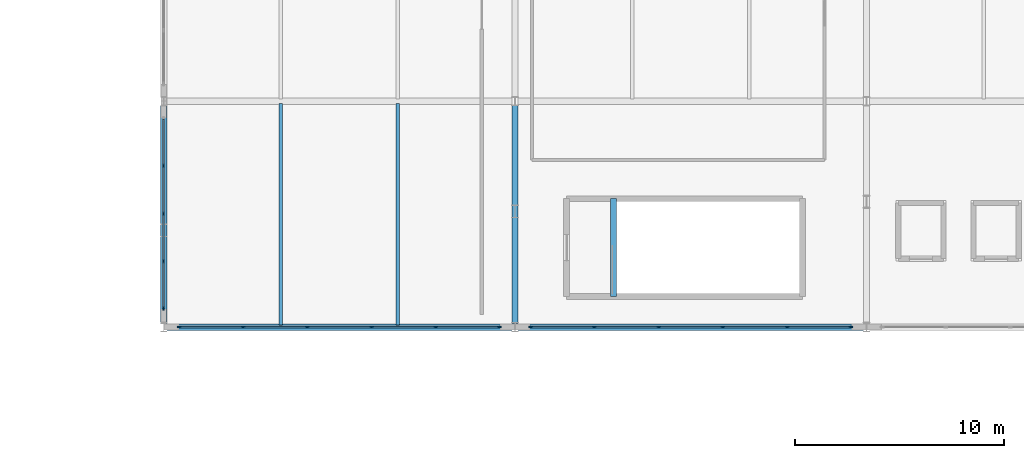
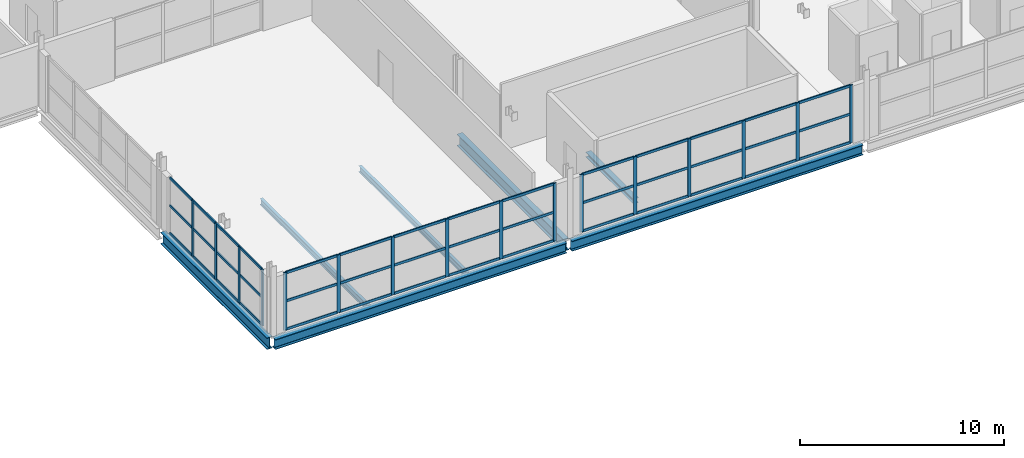
# One storey, part 7 of 39: 58 members, 7 beams, 3 elements without a shape of their own.
"""IFC4 building model written with IfcOpenShell, lengths in metres."""

import ifcopenshell
import ifcopenshell.guid

model = None  # the IFC model being written
_history = None  # IfcOwnerHistory: only IFC2X3 demands one
_inside = {}  # id of a spatial element -> (the spatial element, [elements in it])
_under = {}  # id of a project, library or spatial element -> (it, [spatial elements below it])
_declared = {}  # id of a project -> (the project, [libraries it declares])
_typed = {}  # id of a type object -> (the type object, [elements of that type])
_made_of = {}  # id of a material, layer set ... -> (it, [elements and type objects made of it])


def new_model(schema):
    """Start an empty IFC model of exactly this schema.

    Asked for "IFC4X3", IfcOpenShell would pick the latest addendum, in which some entities
    have other attributes; the version numbers below select the first issue.
    IFC2X3 requires an IfcOwnerHistory on every rooted entity: one is made here for all.
    """
    global model, _history
    if schema == "IFC4X3":
        model = ifcopenshell.file(schema_version=(4, 3, 0, 0))
    else:
        model = ifcopenshell.file(schema=schema)
    _inside.clear()
    _under.clear()
    _declared.clear()
    _typed.clear()
    _made_of.clear()
    _history = None
    if model.schema == "IFC2X3":
        org = make("IfcOrganization", Name="unknown")
        user = make(
            "IfcPersonAndOrganization",
            ThePerson=make("IfcPerson", FamilyName="unknown"),
            TheOrganization=org,
        )
        app = make(
            "IfcApplication",
            ApplicationDeveloper=org,
            Version="unknown",
            ApplicationFullName="unknown",
            ApplicationIdentifier="unknown",
        )
        _history = make(
            "IfcOwnerHistory",
            OwningUser=user,
            OwningApplication=app,
            ChangeAction="ADDED",
            CreationDate=0,
        )
    return model


def make(cls, **values):
    """One entity of the class cls with the attributes given. An attribute that is None is left unset."""
    return model.create_entity(
        cls, **{name: value for name, value in values.items() if value is not None}
    )


def rooted(cls, **values):
    """An entity with a GlobalId (a new one), such as an element, a storey or a relation."""
    return make(cls, GlobalId=ifcopenshell.guid.new(), OwnerHistory=_history, **values)


def si_unit(unit_type, name, prefix=None):
    """IfcSIUnit, for example si_unit("LENGTHUNIT", "METRE", prefix="MILLI")."""
    return make("IfcSIUnit", UnitType=unit_type, Prefix=prefix, Name=name)


def assignment(units):
    """IfcUnitAssignment: the units of a project."""
    return None if units is None else make("IfcUnitAssignment", Units=units)


def point(xyz):
    """IfcCartesianPoint."""
    return None if xyz is None else make("IfcCartesianPoint", Coordinates=xyz)


def direction(xyz):
    """IfcDirection."""
    return None if xyz is None else make("IfcDirection", DirectionRatios=xyz)


def frame(location, z_axis=None, x_axis=None):
    """IfcAxis2Placement3D, a coordinate frame: its origin and axes. An axis left out is left unset."""
    return make(
        "IfcAxis2Placement3D",
        Location=point(location),
        Axis=direction(z_axis),
        RefDirection=direction(x_axis),
    )


def frame_2d(location, x_axis=None):
    """IfcAxis2Placement2D, a coordinate frame in the plane: its origin and x axis."""
    return make(
        "IfcAxis2Placement2D", Location=point(location), RefDirection=direction(x_axis)
    )


def origin():
    """The frame at (0, 0, 0) with its axes left unset."""
    return frame((0.0, 0.0, 0.0))


def origin_2d():
    """The frame at (0, 0) in the plane with its x axis left unset."""
    return frame_2d((0.0, 0.0))


def place(relative_to, where):
    """IfcLocalPlacement: puts the frame where relative to a parent placement (None: the world)."""
    return make(
        "IfcLocalPlacement", PlacementRelTo=relative_to, RelativePlacement=where
    )


def context(
    kind, dimensions, precision=None, world=None, true_north=None, identifier=None
):
    """IfcGeometricRepresentationContext, for example the 3D "Model" context."""
    return make(
        "IfcGeometricRepresentationContext",
        ContextIdentifier=identifier,
        ContextType=kind,
        CoordinateSpaceDimension=dimensions,
        Precision=precision,
        WorldCoordinateSystem=world,
        TrueNorth=true_north,
    )


def subcontext(parent, identifier, kind, view, scale=None):
    """IfcGeometricRepresentationSubContext, for example "Body" below "Model"."""
    return make(
        "IfcGeometricRepresentationSubContext",
        ContextIdentifier=identifier,
        ContextType=kind,
        ParentContext=parent,
        TargetScale=scale,
        TargetView=view,
    )


def project(units=None, contexts=None):
    """IfcProject with its units and contexts."""
    return rooted(
        "IfcProject",
        Name="project",
        RepresentationContexts=contexts,
        UnitsInContext=assignment(units),
    )


def spatial(cls, under=None, at=None, **own):
    """A site, building, storey or space (cls), placed at a placement, below another one or the project."""
    s = rooted(cls, ObjectPlacement=at, **own)
    if under is not None:
        _under.setdefault(under.id(), (under, []))[1].append(s)
    return s


def profile(cls, at=None, kind="AREA", **sizes):
    """A parametric profile (cls). Its sizes go by their IFC names, for example OverallWidth=200.0."""
    return make(cls, ProfileType=kind, Position=at, **sizes)


def rectangle(**sizes):
    """IfcRectangleProfileDef."""
    return profile("IfcRectangleProfileDef", **sizes)


def i_section(**sizes):
    """IfcIShapeProfileDef."""
    return profile("IfcIShapeProfileDef", **sizes)


def extrude(swept, where, along, depth):
    """IfcExtrudedAreaSolid: the profile swept, set in the frame where, extruded along a direction by depth."""
    return make(
        "IfcExtrudedAreaSolid",
        SweptArea=swept,
        Position=where,
        ExtrudedDirection=direction(along),
        Depth=depth,
    )


def shape(context_of_items, identifier, shape_type, items):
    """IfcShapeRepresentation: the items that make up one representation, for example the "Body"."""
    return make(
        "IfcShapeRepresentation",
        ContextOfItems=context_of_items,
        RepresentationIdentifier=identifier,
        RepresentationType=shape_type,
        Items=items,
    )


def material(Name=None, Category=None):
    """IfcMaterial."""
    return make("IfcMaterial", Name=Name, Category=Category)


def material_profile(
    of_material, cross_section, Name=None, Category=None, Priority=None
):
    """IfcMaterialProfile: a cross section and its material."""
    return make(
        "IfcMaterialProfile",
        Name=Name,
        Material=of_material,
        Profile=cross_section,
        Priority=Priority,
        Category=Category,
    )


def profile_set(profiles, Name=None, composite=None):
    """IfcMaterialProfileSet."""
    return make(
        "IfcMaterialProfileSet",
        Name=Name,
        MaterialProfiles=profiles,
        CompositeProfile=composite,
    )


def made_of(thing, what):
    """Note that an element or type object is made of a material, layer set ...; save() writes the relation."""
    if what is not None:
        _made_of.setdefault(what.id(), (what, []))[1].append(thing)
    return thing


def type_object(cls, material=None, **own):
    """A type object (cls), such as IfcWallType, which elements share."""
    return made_of(rooted(cls, **own), material)


def element(
    cls,
    number,
    at=None,
    inside=None,
    cuts=None,
    type_object=None,
    material=None,
    context=None,
    identifier="Body",
    shape_type=None,
    held_by="IfcProductDefinitionShape",
    body=None,
    shapes=None,
    **own,
):
    """One element of the class cls, such as IfcWall. Its Tag is "e" and its number.

    at: its placement. inside: the storey or other place that contains it. cuts: it is an
    opening in that element (IfcRelVoidsElement). A single representation is given by context,
    identifier, shape_type and body (its items); several are given by shapes. held_by: the class
    of the entity that holds the representations. save() writes the other relations.
    """
    e = rooted(cls, Tag="e%d" % number, ObjectPlacement=at, **own)
    if body is not None:
        shapes = [shape(context, identifier, shape_type, body)]
    if shapes is not None:
        e.Representation = make(held_by, Representations=shapes)
    if inside is not None:
        _inside.setdefault(inside.id(), (inside, []))[1].append(e)
    if cuts is not None:
        rooted(
            "IfcRelVoidsElement", RelatingBuildingElement=cuts, RelatedOpeningElement=e
        )
    if type_object is not None:
        _typed.setdefault(type_object.id(), (type_object, []))[1].append(e)
    return made_of(e, material)


def aggregate(whole, parts):
    """IfcRelAggregates: a whole, such as a stair, and the parts it consists of."""
    return rooted("IfcRelAggregates", RelatingObject=whole, RelatedObjects=parts)


def save(model, path):
    """Write the relations noted so far, then the file.

    IfcRelAggregates (storeys below a building ...), IfcRelContainedInSpatialStructure (elements
    in a storey), IfcRelDefinesByType, IfcRelAssociatesMaterial and IfcRelDeclares: one each for
    every whole, place, type object, material and project.
    """
    for whole, parts in _under.values():
        aggregate(whole, parts)
    for where, things in _inside.values():
        rooted(
            "IfcRelContainedInSpatialStructure",
            RelatedElements=things,
            RelatingStructure=where,
        )
    for kind, things in _typed.values():
        rooted("IfcRelDefinesByType", RelatedObjects=things, RelatingType=kind)
    for what, things in _made_of.values():
        rooted("IfcRelAssociatesMaterial", RelatedObjects=things, RelatingMaterial=what)
    for by, libraries in _declared.values():
        rooted("IfcRelDeclares", RelatingContext=by, RelatedDefinitions=libraries)
    model.write(path)


model = new_model("IFC4")

# Units and contexts
model_context = context("Model", 3, precision=1e-05, world=origin(), true_north=direction((0.0, 1.0)))
body_context = subcontext(model_context, "Body", "Model", "MODEL_VIEW")
ifc_project = project(units=[si_unit("LENGTHUNIT", "METRE"), si_unit("AREAUNIT", "SQUARE_METRE"), si_unit("VOLUMEUNIT", "CUBIC_METRE"), si_unit("PLANEANGLEUNIT", "RADIAN"), si_unit("MASSUNIT", "GRAM", prefix="KILO")], contexts=[model_context])

# Site, building, storey
site_placement = place(None, origin())
site = spatial("IfcSite", under=ifc_project, at=site_placement, CompositionType="ELEMENT")
building_placement = place(site_placement, origin())
building = spatial("IfcBuilding", under=site, at=building_placement, Name="Kimbaza Rail Terminus", CompositionType="ELEMENT")
storey_placement = place(building_placement, frame((0.0, 0.0, 16.800048828125)))
storey = spatial("IfcBuildingStorey", under=building, at=storey_placement, Name="L03", CompositionType="ELEMENT", Elevation=16.800048828125)

# Curtain wall, members
ifc_material_1 = material(Name="Anodised aluminium framing and solar low-E glazing", Category="aluminium")
curtain_wall_type = type_object("IfcCurtainWallType", Name="ARC-CW-BRG", PredefinedType="USERDEFINED", material=ifc_material_1)
curtain_wall_1_placement = place(storey_placement, origin())
curtain_wall_1 = element("IfcCurtainWall", 1, at=curtain_wall_1_placement, inside=storey, type_object=curtain_wall_type, Name="Over-Track Footbridge W Panoramic Curtain Wall 1", ObjectType="UNITISED CURTAIN WALL", PredefinedType="USERDEFINED")
ifc_material_2 = material(Name="Anodised architectural aluminium", Category="aluminium")
ifc_material_profile_1 = material_profile(ifc_material_2, rectangle(XDim=0.068115234375, YDim=0.18994140625, at=origin_2d()), Name="MULLION 68x190")
ifc_profile_set_1 = profile_set([ifc_material_profile_1], Name="Anodised architectural aluminium")
member_type_1 = type_object("IfcMemberType", Name="ARC-CWM-03", PredefinedType="MULLION", material=ifc_profile_set_1)
member_1_placement = place(storey_placement, frame((72.0, 81.093994140625, 0.0), z_axis=(0.0, 0.0, 1.0), x_axis=(-1.0, 0.0, 0.0)))
member_1 = element("IfcMember", 2, at=member_1_placement, type_object=member_type_1, Name="CW-03 mullion 1", PredefinedType="MULLION", context=body_context, shape_type="SweptSolid", body=[
    extrude(rectangle(XDim=0.068115234375, YDim=0.18994140625, at=origin_2d()), origin(), (0.0, 0.0, 1.0), 3.369873046875),
])
member_2_placement = place(storey_placement, frame((72.0, 83.344970703125, 0.0), z_axis=(0.0, 0.0, 1.0), x_axis=(-1.0, 0.0, 0.0)))
member_2 = element("IfcMember", 3, at=member_2_placement, type_object=member_type_1, Name="CW-03 mullion 2", PredefinedType="MULLION", context=body_context, shape_type="SweptSolid", body=[
    extrude(rectangle(XDim=0.068115234375, YDim=0.18994140625, at=origin_2d()), origin(), (0.0, 0.0, 1.0), 3.369873046875),
])
member_3_placement = place(storey_placement, frame((72.0, 85.6298828125, 0.0), z_axis=(0.0, 0.0, 1.0), x_axis=(-1.0, 0.0, 0.0)))
member_3 = element("IfcMember", 4, at=member_3_placement, type_object=member_type_1, Name="CW-03 mullion 3", PredefinedType="MULLION", context=body_context, shape_type="SweptSolid", body=[
    extrude(rectangle(XDim=0.068115234375, YDim=0.18994140625, at=origin_2d()), origin(), (0.0, 0.0, 1.0), 3.369873046875),
])
member_4_placement = place(storey_placement, frame((72.0, 87.9150390625, 0.0), z_axis=(0.0, 0.0, 1.0), x_axis=(-1.0, 0.0, 0.0)))
member_4 = element("IfcMember", 5, at=member_4_placement, type_object=member_type_1, Name="CW-03 mullion 4", PredefinedType="MULLION", context=body_context, shape_type="SweptSolid", body=[
    extrude(rectangle(XDim=0.068115234375, YDim=0.18994140625, at=origin_2d()), origin(), (0.0, 0.0, 1.0), 3.369873046875),
])

curtain_wall_2_placement = place(storey_placement, origin())
curtain_wall_2 = element("IfcCurtainWall", 6, at=curtain_wall_2_placement, inside=storey, type_object=curtain_wall_type, Name="Over-Track Footbridge South Curtain Wall 1", ObjectType="UNITISED CURTAIN WALL", PredefinedType="USERDEFINED")
member_5_placement = place(storey_placement, frame((72.75390625, 80.199951171875, 0.0), z_axis=(0.0, 0.0, 1.0), x_axis=(0.0, 1.0, 0.0)))
member_5 = element("IfcMember", 7, at=member_5_placement, type_object=member_type_1, Name="CW-03 mullion 1", PredefinedType="MULLION", context=body_context, shape_type="SweptSolid", body=[
    extrude(rectangle(XDim=0.068115234375, YDim=0.18994140625, at=origin_2d()), origin(), (0.0, 0.0, 1.0), 3.449951171875),
])
member_6_placement = place(storey_placement, frame((75.7919921875, 80.199951171875, 0.0), z_axis=(0.0, 0.0, 1.0), x_axis=(0.0, 1.0, 0.0)))
member_6 = element("IfcMember", 8, at=member_6_placement, type_object=member_type_1, Name="CW-03 mullion 2", PredefinedType="MULLION", context=body_context, shape_type="SweptSolid", body=[
    extrude(rectangle(XDim=0.068115234375, YDim=0.18994140625, at=origin_2d()), origin(), (0.0, 0.0, 1.0), 3.449951171875),
])
member_7_placement = place(storey_placement, frame((78.864013671875, 80.199951171875, 0.0), z_axis=(0.0, 0.0, 1.0), x_axis=(0.0, 1.0, 0.0)))
member_7 = element("IfcMember", 9, at=member_7_placement, type_object=member_type_1, Name="CW-03 mullion 3", PredefinedType="MULLION", context=body_context, shape_type="SweptSolid", body=[
    extrude(rectangle(XDim=0.068115234375, YDim=0.18994140625, at=origin_2d()), origin(), (0.0, 0.0, 1.0), 3.449951171875),
])
member_8_placement = place(storey_placement, frame((81.93603515625, 80.199951171875, 0.0), z_axis=(0.0, 0.0, 1.0), x_axis=(0.0, 1.0, 0.0)))
member_8 = element("IfcMember", 10, at=member_8_placement, type_object=member_type_1, Name="CW-03 mullion 4", PredefinedType="MULLION", context=body_context, shape_type="SweptSolid", body=[
    extrude(rectangle(XDim=0.068115234375, YDim=0.18994140625, at=origin_2d()), origin(), (0.0, 0.0, 1.0), 3.449951171875),
])
member_9_placement = place(storey_placement, frame((85.008056640625, 80.199951171875, 0.0), z_axis=(0.0, 0.0, 1.0), x_axis=(0.0, 1.0, 0.0)))
member_9 = element("IfcMember", 11, at=member_9_placement, type_object=member_type_1, Name="CW-03 mullion 5", PredefinedType="MULLION", context=body_context, shape_type="SweptSolid", body=[
    extrude(rectangle(XDim=0.068115234375, YDim=0.18994140625, at=origin_2d()), origin(), (0.0, 0.0, 1.0), 3.449951171875),
])
member_10_placement = place(storey_placement, frame((88.0458984375, 80.199951171875, 0.0), z_axis=(0.0, 0.0, 1.0), x_axis=(0.0, 1.0, 0.0)))
member_10 = element("IfcMember", 12, at=member_10_placement, type_object=member_type_1, Name="CW-03 mullion 6", PredefinedType="MULLION", context=body_context, shape_type="SweptSolid", body=[
    extrude(rectangle(XDim=0.068115234375, YDim=0.18994140625, at=origin_2d()), origin(), (0.0, 0.0, 1.0), 3.449951171875),
])

curtain_wall_3_placement = place(storey_placement, origin())
curtain_wall_3 = element("IfcCurtainWall", 13, at=curtain_wall_3_placement, inside=storey, type_object=curtain_wall_type, Name="Over-Track Footbridge South Curtain Wall 2", ObjectType="UNITISED CURTAIN WALL", PredefinedType="USERDEFINED")
member_11_placement = place(storey_placement, frame((89.553955078125, 80.199951171875, 0.0), z_axis=(0.0, 0.0, 1.0), x_axis=(0.0, 1.0, 0.0)))
member_11 = element("IfcMember", 14, at=member_11_placement, type_object=member_type_1, Name="CW-03 mullion 1", PredefinedType="MULLION", context=body_context, shape_type="SweptSolid", body=[
    extrude(rectangle(XDim=0.068115234375, YDim=0.18994140625, at=origin_2d()), origin(), (0.0, 0.0, 1.0), 3.449951171875),
])
member_12_placement = place(storey_placement, frame((92.592041015625, 80.199951171875, 0.0), z_axis=(0.0, 0.0, 1.0), x_axis=(0.0, 1.0, 0.0)))
member_12 = element("IfcMember", 15, at=member_12_placement, type_object=member_type_1, Name="CW-03 mullion 2", PredefinedType="MULLION", context=body_context, shape_type="SweptSolid", body=[
    extrude(rectangle(XDim=0.068115234375, YDim=0.18994140625, at=origin_2d()), origin(), (0.0, 0.0, 1.0), 3.449951171875),
])
member_13_placement = place(storey_placement, frame((95.6640625, 80.199951171875, 0.0), z_axis=(0.0, 0.0, 1.0), x_axis=(0.0, 1.0, 0.0)))
member_13 = element("IfcMember", 16, at=member_13_placement, type_object=member_type_1, Name="CW-03 mullion 3", PredefinedType="MULLION", context=body_context, shape_type="SweptSolid", body=[
    extrude(rectangle(XDim=0.068115234375, YDim=0.18994140625, at=origin_2d()), origin(), (0.0, 0.0, 1.0), 3.449951171875),
])
member_14_placement = place(storey_placement, frame((98.736083984375, 80.199951171875, 0.0), z_axis=(0.0, 0.0, 1.0), x_axis=(0.0, 1.0, 0.0)))
member_14 = element("IfcMember", 17, at=member_14_placement, type_object=member_type_1, Name="CW-03 mullion 4", PredefinedType="MULLION", context=body_context, shape_type="SweptSolid", body=[
    extrude(rectangle(XDim=0.068115234375, YDim=0.18994140625, at=origin_2d()), origin(), (0.0, 0.0, 1.0), 3.449951171875),
])
member_15_placement = place(storey_placement, frame((101.80810546875, 80.199951171875, 0.0), z_axis=(0.0, 0.0, 1.0), x_axis=(0.0, 1.0, 0.0)))
member_15 = element("IfcMember", 18, at=member_15_placement, type_object=member_type_1, Name="CW-03 mullion 5", PredefinedType="MULLION", context=body_context, shape_type="SweptSolid", body=[
    extrude(rectangle(XDim=0.068115234375, YDim=0.18994140625, at=origin_2d()), origin(), (0.0, 0.0, 1.0), 3.449951171875),
])
member_16_placement = place(storey_placement, frame((104.845947265625, 80.199951171875, 0.0), z_axis=(0.0, 0.0, 1.0), x_axis=(0.0, 1.0, 0.0)))
member_16 = element("IfcMember", 19, at=member_16_placement, type_object=member_type_1, Name="CW-03 mullion 6", PredefinedType="MULLION", context=body_context, shape_type="SweptSolid", body=[
    extrude(rectangle(XDim=0.068115234375, YDim=0.18994140625, at=origin_2d()), origin(), (0.0, 0.0, 1.0), 3.449951171875),
])

# Member
ifc_material_3 = material(Name="Anodised architectural aluminium", Category="aluminium")
ifc_material_profile_2 = material_profile(ifc_material_3, rectangle(XDim=0.068115234375, YDim=0.14990234375, at=origin_2d()), Name="TRANSOM 68x150")
ifc_profile_set_2 = profile_set([ifc_material_profile_2], Name="Anodised architectural aluminium")
member_type_2 = type_object("IfcMemberType", Name="ARC-CWT-03", PredefinedType="USERDEFINED", material=ifc_profile_set_2)
member_17_placement = place(storey_placement, frame((72.0, 81.1279296875, 0.033935546875), z_axis=(0.0, 1.0, 0.0), x_axis=(-1.0, 0.0, 0.0)))
member_17 = element("IfcMember", 20, at=member_17_placement, type_object=member_type_2, Name="CW-03 transom 1.1", ObjectType="TRANSOM", PredefinedType="USERDEFINED", context=body_context, shape_type="SweptSolid", body=[
    extrude(rectangle(XDim=0.068115234375, YDim=0.14990234375, at=origin_2d()), origin(), (0.0, 0.0, 1.0), 2.18310546875),
])

member_18_placement = place(storey_placement, frame((72.0, 81.1279296875, 1.68505859375), z_axis=(0.0, 1.0, 0.0), x_axis=(-1.0, 0.0, 0.0)))
member_18 = element("IfcMember", 21, at=member_18_placement, type_object=member_type_2, Name="CW-03 transom 1.2", ObjectType="TRANSOM", PredefinedType="USERDEFINED", context=body_context, shape_type="SweptSolid", body=[
    extrude(rectangle(XDim=0.068115234375, YDim=0.14990234375, at=origin_2d()), origin(), (0.0, 0.0, 1.0), 2.18310546875),
])

member_19_placement = place(storey_placement, frame((72.0, 81.1279296875, 3.3359375), z_axis=(0.0, 1.0, 0.0), x_axis=(-1.0, 0.0, 0.0)))
member_19 = element("IfcMember", 22, at=member_19_placement, type_object=member_type_2, Name="CW-03 transom 1.3", ObjectType="TRANSOM", PredefinedType="USERDEFINED", context=body_context, shape_type="SweptSolid", body=[
    extrude(rectangle(XDim=0.068115234375, YDim=0.14990234375, at=origin_2d()), origin(), (0.0, 0.0, 1.0), 2.18310546875),
])

member_20_placement = place(storey_placement, frame((72.0, 83.37890625, 0.033935546875), z_axis=(0.0, 1.0, 0.0), x_axis=(-1.0, 0.0, 0.0)))
member_20 = element("IfcMember", 23, at=member_20_placement, type_object=member_type_2, Name="CW-03 transom 2.1", ObjectType="TRANSOM", PredefinedType="USERDEFINED", context=body_context, shape_type="SweptSolid", body=[
    extrude(rectangle(XDim=0.068115234375, YDim=0.14990234375, at=origin_2d()), origin(), (0.0, 0.0, 1.0), 2.217041015625),
])

member_21_placement = place(storey_placement, frame((72.0, 83.37890625, 1.68505859375), z_axis=(0.0, 1.0, 0.0), x_axis=(-1.0, 0.0, 0.0)))
member_21 = element("IfcMember", 24, at=member_21_placement, type_object=member_type_2, Name="CW-03 transom 2.2", ObjectType="TRANSOM", PredefinedType="USERDEFINED", context=body_context, shape_type="SweptSolid", body=[
    extrude(rectangle(XDim=0.068115234375, YDim=0.14990234375, at=origin_2d()), origin(), (0.0, 0.0, 1.0), 2.217041015625),
])

member_22_placement = place(storey_placement, frame((72.0, 83.37890625, 3.3359375), z_axis=(0.0, 1.0, 0.0), x_axis=(-1.0, 0.0, 0.0)))
member_22 = element("IfcMember", 25, at=member_22_placement, type_object=member_type_2, Name="CW-03 transom 2.3", ObjectType="TRANSOM", PredefinedType="USERDEFINED", context=body_context, shape_type="SweptSolid", body=[
    extrude(rectangle(XDim=0.068115234375, YDim=0.14990234375, at=origin_2d()), origin(), (0.0, 0.0, 1.0), 2.217041015625),
])

member_23_placement = place(storey_placement, frame((72.0, 85.6640625, 0.033935546875), z_axis=(0.0, 1.0, 0.0), x_axis=(-1.0, 0.0, 0.0)))
member_23 = element("IfcMember", 26, at=member_23_placement, type_object=member_type_2, Name="CW-03 transom 3.1", ObjectType="TRANSOM", PredefinedType="USERDEFINED", context=body_context, shape_type="SweptSolid", body=[
    extrude(rectangle(XDim=0.068115234375, YDim=0.14990234375, at=origin_2d()), origin(), (0.0, 0.0, 1.0), 2.217041015625),
])

member_24_placement = place(storey_placement, frame((72.0, 85.6640625, 1.68505859375), z_axis=(0.0, 1.0, 0.0), x_axis=(-1.0, 0.0, 0.0)))
member_24 = element("IfcMember", 27, at=member_24_placement, type_object=member_type_2, Name="CW-03 transom 3.2", ObjectType="TRANSOM", PredefinedType="USERDEFINED", context=body_context, shape_type="SweptSolid", body=[
    extrude(rectangle(XDim=0.068115234375, YDim=0.14990234375, at=origin_2d()), origin(), (0.0, 0.0, 1.0), 2.217041015625),
])

member_25_placement = place(storey_placement, frame((72.0, 85.6640625, 3.3359375), z_axis=(0.0, 1.0, 0.0), x_axis=(-1.0, 0.0, 0.0)))
member_25 = element("IfcMember", 28, at=member_25_placement, type_object=member_type_2, Name="CW-03 transom 3.3", ObjectType="TRANSOM", PredefinedType="USERDEFINED", context=body_context, shape_type="SweptSolid", body=[
    extrude(rectangle(XDim=0.068115234375, YDim=0.14990234375, at=origin_2d()), origin(), (0.0, 0.0, 1.0), 2.217041015625),
])

member_26_placement = place(storey_placement, frame((72.0, 87.948974609375, 0.033935546875), z_axis=(0.0, 1.0, 0.0), x_axis=(-1.0, 0.0, 0.0)))
member_26 = element("IfcMember", 29, at=member_26_placement, type_object=member_type_2, Name="CW-03 transom 4.1", ObjectType="TRANSOM", PredefinedType="USERDEFINED", context=body_context, shape_type="SweptSolid", body=[
    extrude(rectangle(XDim=0.068115234375, YDim=0.14990234375, at=origin_2d()), origin(), (0.0, 0.0, 1.0), 2.18310546875),
])

member_27_placement = place(storey_placement, frame((72.0, 87.948974609375, 1.68505859375), z_axis=(0.0, 1.0, 0.0), x_axis=(-1.0, 0.0, 0.0)))
member_27 = element("IfcMember", 30, at=member_27_placement, type_object=member_type_2, Name="CW-03 transom 4.2", ObjectType="TRANSOM", PredefinedType="USERDEFINED", context=body_context, shape_type="SweptSolid", body=[
    extrude(rectangle(XDim=0.068115234375, YDim=0.14990234375, at=origin_2d()), origin(), (0.0, 0.0, 1.0), 2.18310546875),
])

member_28_placement = place(storey_placement, frame((72.0, 87.948974609375, 3.3359375), z_axis=(0.0, 1.0, 0.0), x_axis=(-1.0, 0.0, 0.0)))
member_28 = element("IfcMember", 31, at=member_28_placement, type_object=member_type_2, Name="CW-03 transom 4.3", ObjectType="TRANSOM", PredefinedType="USERDEFINED", context=body_context, shape_type="SweptSolid", body=[
    extrude(rectangle(XDim=0.068115234375, YDim=0.14990234375, at=origin_2d()), origin(), (0.0, 0.0, 1.0), 2.18310546875),
])

aggregate(curtain_wall_1, [member_1, member_2, member_3, member_4, member_17, member_18, member_19, member_20, member_21, member_22, member_23, member_24, member_25, member_26, member_27, member_28])

member_29_placement = place(storey_placement, frame((72.7880859375, 80.199951171875, 0.033935546875), z_axis=(1.0, 0.0, 0.0), x_axis=(0.0, 1.0, 0.0)))
member_29 = element("IfcMember", 32, at=member_29_placement, type_object=member_type_2, Name="CW-03 transom 1.1", ObjectType="TRANSOM", PredefinedType="USERDEFINED", context=body_context, shape_type="SweptSolid", body=[
    extrude(rectangle(XDim=0.068115234375, YDim=0.14990234375, at=origin_2d()), origin(), (0.0, 0.0, 1.0), 2.969970703125),
])

member_30_placement = place(storey_placement, frame((72.7880859375, 80.199951171875, 1.724853515625), z_axis=(1.0, 0.0, 0.0), x_axis=(0.0, 1.0, 0.0)))
member_30 = element("IfcMember", 33, at=member_30_placement, type_object=member_type_2, Name="CW-03 transom 1.2", ObjectType="TRANSOM", PredefinedType="USERDEFINED", context=body_context, shape_type="SweptSolid", body=[
    extrude(rectangle(XDim=0.068115234375, YDim=0.14990234375, at=origin_2d()), origin(), (0.0, 0.0, 1.0), 2.969970703125),
])

member_31_placement = place(storey_placement, frame((72.7880859375, 80.199951171875, 3.416015625), z_axis=(1.0, 0.0, 0.0), x_axis=(0.0, 1.0, 0.0)))
member_31 = element("IfcMember", 34, at=member_31_placement, type_object=member_type_2, Name="CW-03 transom 1.3", ObjectType="TRANSOM", PredefinedType="USERDEFINED", context=body_context, shape_type="SweptSolid", body=[
    extrude(rectangle(XDim=0.068115234375, YDim=0.14990234375, at=origin_2d()), origin(), (0.0, 0.0, 1.0), 2.969970703125),
])

member_32_placement = place(storey_placement, frame((75.825927734375, 80.199951171875, 0.033935546875), z_axis=(1.0, 0.0, 0.0), x_axis=(0.0, 1.0, 0.0)))
member_32 = element("IfcMember", 35, at=member_32_placement, type_object=member_type_2, Name="CW-03 transom 2.1", ObjectType="TRANSOM", PredefinedType="USERDEFINED", context=body_context, shape_type="SweptSolid", body=[
    extrude(rectangle(XDim=0.068115234375, YDim=0.14990234375, at=origin_2d()), origin(), (0.0, 0.0, 1.0), 3.004150390625),
])

member_33_placement = place(storey_placement, frame((75.825927734375, 80.199951171875, 1.724853515625), z_axis=(1.0, 0.0, 0.0), x_axis=(0.0, 1.0, 0.0)))
member_33 = element("IfcMember", 36, at=member_33_placement, type_object=member_type_2, Name="CW-03 transom 2.2", ObjectType="TRANSOM", PredefinedType="USERDEFINED", context=body_context, shape_type="SweptSolid", body=[
    extrude(rectangle(XDim=0.068115234375, YDim=0.14990234375, at=origin_2d()), origin(), (0.0, 0.0, 1.0), 3.004150390625),
])

member_34_placement = place(storey_placement, frame((75.825927734375, 80.199951171875, 3.416015625), z_axis=(1.0, 0.0, 0.0), x_axis=(0.0, 1.0, 0.0)))
member_34 = element("IfcMember", 37, at=member_34_placement, type_object=member_type_2, Name="CW-03 transom 2.3", ObjectType="TRANSOM", PredefinedType="USERDEFINED", context=body_context, shape_type="SweptSolid", body=[
    extrude(rectangle(XDim=0.068115234375, YDim=0.14990234375, at=origin_2d()), origin(), (0.0, 0.0, 1.0), 3.004150390625),
])

member_35_placement = place(storey_placement, frame((78.89794921875, 80.199951171875, 0.033935546875), z_axis=(1.0, 0.0, 0.0), x_axis=(0.0, 1.0, 0.0)))
member_35 = element("IfcMember", 38, at=member_35_placement, type_object=member_type_2, Name="CW-03 transom 3.1", ObjectType="TRANSOM", PredefinedType="USERDEFINED", context=body_context, shape_type="SweptSolid", body=[
    extrude(rectangle(XDim=0.068115234375, YDim=0.14990234375, at=origin_2d()), origin(), (0.0, 0.0, 1.0), 3.004150390625),
])

member_36_placement = place(storey_placement, frame((78.89794921875, 80.199951171875, 1.724853515625), z_axis=(1.0, 0.0, 0.0), x_axis=(0.0, 1.0, 0.0)))
member_36 = element("IfcMember", 39, at=member_36_placement, type_object=member_type_2, Name="CW-03 transom 3.2", ObjectType="TRANSOM", PredefinedType="USERDEFINED", context=body_context, shape_type="SweptSolid", body=[
    extrude(rectangle(XDim=0.068115234375, YDim=0.14990234375, at=origin_2d()), origin(), (0.0, 0.0, 1.0), 3.004150390625),
])

member_37_placement = place(storey_placement, frame((78.89794921875, 80.199951171875, 3.416015625), z_axis=(1.0, 0.0, 0.0), x_axis=(0.0, 1.0, 0.0)))
member_37 = element("IfcMember", 40, at=member_37_placement, type_object=member_type_2, Name="CW-03 transom 3.3", ObjectType="TRANSOM", PredefinedType="USERDEFINED", context=body_context, shape_type="SweptSolid", body=[
    extrude(rectangle(XDim=0.068115234375, YDim=0.14990234375, at=origin_2d()), origin(), (0.0, 0.0, 1.0), 3.004150390625),
])

member_38_placement = place(storey_placement, frame((81.969970703125, 80.199951171875, 0.033935546875), z_axis=(1.0, 0.0, 0.0), x_axis=(0.0, 1.0, 0.0)))
member_38 = element("IfcMember", 41, at=member_38_placement, type_object=member_type_2, Name="CW-03 transom 4.1", ObjectType="TRANSOM", PredefinedType="USERDEFINED", context=body_context, shape_type="SweptSolid", body=[
    extrude(rectangle(XDim=0.068115234375, YDim=0.14990234375, at=origin_2d()), origin(), (0.0, 0.0, 1.0), 3.004150390625),
])

member_39_placement = place(storey_placement, frame((81.969970703125, 80.199951171875, 1.724853515625), z_axis=(1.0, 0.0, 0.0), x_axis=(0.0, 1.0, 0.0)))
member_39 = element("IfcMember", 42, at=member_39_placement, type_object=member_type_2, Name="CW-03 transom 4.2", ObjectType="TRANSOM", PredefinedType="USERDEFINED", context=body_context, shape_type="SweptSolid", body=[
    extrude(rectangle(XDim=0.068115234375, YDim=0.14990234375, at=origin_2d()), origin(), (0.0, 0.0, 1.0), 3.004150390625),
])

member_40_placement = place(storey_placement, frame((81.969970703125, 80.199951171875, 3.416015625), z_axis=(1.0, 0.0, 0.0), x_axis=(0.0, 1.0, 0.0)))
member_40 = element("IfcMember", 43, at=member_40_placement, type_object=member_type_2, Name="CW-03 transom 4.3", ObjectType="TRANSOM", PredefinedType="USERDEFINED", context=body_context, shape_type="SweptSolid", body=[
    extrude(rectangle(XDim=0.068115234375, YDim=0.14990234375, at=origin_2d()), origin(), (0.0, 0.0, 1.0), 3.004150390625),
])

member_41_placement = place(storey_placement, frame((85.0419921875, 80.199951171875, 0.033935546875), z_axis=(1.0, 0.0, 0.0), x_axis=(0.0, 1.0, 0.0)))
member_41 = element("IfcMember", 44, at=member_41_placement, type_object=member_type_2, Name="CW-03 transom 5.1", ObjectType="TRANSOM", PredefinedType="USERDEFINED", context=body_context, shape_type="SweptSolid", body=[
    extrude(rectangle(XDim=0.068115234375, YDim=0.14990234375, at=origin_2d()), origin(), (0.0, 0.0, 1.0), 2.969970703125),
])

member_42_placement = place(storey_placement, frame((85.0419921875, 80.199951171875, 1.724853515625), z_axis=(1.0, 0.0, 0.0), x_axis=(0.0, 1.0, 0.0)))
member_42 = element("IfcMember", 45, at=member_42_placement, type_object=member_type_2, Name="CW-03 transom 5.2", ObjectType="TRANSOM", PredefinedType="USERDEFINED", context=body_context, shape_type="SweptSolid", body=[
    extrude(rectangle(XDim=0.068115234375, YDim=0.14990234375, at=origin_2d()), origin(), (0.0, 0.0, 1.0), 2.969970703125),
])

member_43_placement = place(storey_placement, frame((85.0419921875, 80.199951171875, 3.416015625), z_axis=(1.0, 0.0, 0.0), x_axis=(0.0, 1.0, 0.0)))
member_43 = element("IfcMember", 46, at=member_43_placement, type_object=member_type_2, Name="CW-03 transom 5.3", ObjectType="TRANSOM", PredefinedType="USERDEFINED", context=body_context, shape_type="SweptSolid", body=[
    extrude(rectangle(XDim=0.068115234375, YDim=0.14990234375, at=origin_2d()), origin(), (0.0, 0.0, 1.0), 2.969970703125),
])

aggregate(curtain_wall_2, [member_5, member_6, member_7, member_8, member_9, member_10, member_29, member_30, member_31, member_32, member_33, member_34, member_35, member_36, member_37, member_38, member_39, member_40, member_41, member_42, member_43])

member_44_placement = place(storey_placement, frame((89.587890625, 80.199951171875, 0.033935546875), z_axis=(1.0, 0.0, 0.0), x_axis=(0.0, 1.0, 0.0)))
member_44 = element("IfcMember", 47, at=member_44_placement, type_object=member_type_2, Name="CW-03 transom 1.1", ObjectType="TRANSOM", PredefinedType="USERDEFINED", context=body_context, shape_type="SweptSolid", body=[
    extrude(rectangle(XDim=0.068115234375, YDim=0.14990234375, at=origin_2d()), origin(), (0.0, 0.0, 1.0), 2.97021484375),
])

member_45_placement = place(storey_placement, frame((89.587890625, 80.199951171875, 1.724853515625), z_axis=(1.0, 0.0, 0.0), x_axis=(0.0, 1.0, 0.0)))
member_45 = element("IfcMember", 48, at=member_45_placement, type_object=member_type_2, Name="CW-03 transom 1.2", ObjectType="TRANSOM", PredefinedType="USERDEFINED", context=body_context, shape_type="SweptSolid", body=[
    extrude(rectangle(XDim=0.068115234375, YDim=0.14990234375, at=origin_2d()), origin(), (0.0, 0.0, 1.0), 2.97021484375),
])

member_46_placement = place(storey_placement, frame((89.587890625, 80.199951171875, 3.416015625), z_axis=(1.0, 0.0, 0.0), x_axis=(0.0, 1.0, 0.0)))
member_46 = element("IfcMember", 49, at=member_46_placement, type_object=member_type_2, Name="CW-03 transom 1.3", ObjectType="TRANSOM", PredefinedType="USERDEFINED", context=body_context, shape_type="SweptSolid", body=[
    extrude(rectangle(XDim=0.068115234375, YDim=0.14990234375, at=origin_2d()), origin(), (0.0, 0.0, 1.0), 2.97021484375),
])

member_47_placement = place(storey_placement, frame((92.6259765625, 80.199951171875, 0.033935546875), z_axis=(1.0, 0.0, 0.0), x_axis=(0.0, 1.0, 0.0)))
member_47 = element("IfcMember", 50, at=member_47_placement, type_object=member_type_2, Name="CW-03 transom 2.1", ObjectType="TRANSOM", PredefinedType="USERDEFINED", context=body_context, shape_type="SweptSolid", body=[
    extrude(rectangle(XDim=0.068115234375, YDim=0.14990234375, at=origin_2d()), origin(), (0.0, 0.0, 1.0), 3.00390625),
])

member_48_placement = place(storey_placement, frame((92.6259765625, 80.199951171875, 1.724853515625), z_axis=(1.0, 0.0, 0.0), x_axis=(0.0, 1.0, 0.0)))
member_48 = element("IfcMember", 51, at=member_48_placement, type_object=member_type_2, Name="CW-03 transom 2.2", ObjectType="TRANSOM", PredefinedType="USERDEFINED", context=body_context, shape_type="SweptSolid", body=[
    extrude(rectangle(XDim=0.068115234375, YDim=0.14990234375, at=origin_2d()), origin(), (0.0, 0.0, 1.0), 3.00390625),
])

member_49_placement = place(storey_placement, frame((92.6259765625, 80.199951171875, 3.416015625), z_axis=(1.0, 0.0, 0.0), x_axis=(0.0, 1.0, 0.0)))
member_49 = element("IfcMember", 52, at=member_49_placement, type_object=member_type_2, Name="CW-03 transom 2.3", ObjectType="TRANSOM", PredefinedType="USERDEFINED", context=body_context, shape_type="SweptSolid", body=[
    extrude(rectangle(XDim=0.068115234375, YDim=0.14990234375, at=origin_2d()), origin(), (0.0, 0.0, 1.0), 3.00390625),
])

member_50_placement = place(storey_placement, frame((95.697998046875, 80.199951171875, 0.033935546875), z_axis=(1.0, 0.0, 0.0), x_axis=(0.0, 1.0, 0.0)))
member_50 = element("IfcMember", 53, at=member_50_placement, type_object=member_type_2, Name="CW-03 transom 3.1", ObjectType="TRANSOM", PredefinedType="USERDEFINED", context=body_context, shape_type="SweptSolid", body=[
    extrude(rectangle(XDim=0.068115234375, YDim=0.14990234375, at=origin_2d()), origin(), (0.0, 0.0, 1.0), 3.00390625),
])

member_51_placement = place(storey_placement, frame((95.697998046875, 80.199951171875, 1.724853515625), z_axis=(1.0, 0.0, 0.0), x_axis=(0.0, 1.0, 0.0)))
member_51 = element("IfcMember", 54, at=member_51_placement, type_object=member_type_2, Name="CW-03 transom 3.2", ObjectType="TRANSOM", PredefinedType="USERDEFINED", context=body_context, shape_type="SweptSolid", body=[
    extrude(rectangle(XDim=0.068115234375, YDim=0.14990234375, at=origin_2d()), origin(), (0.0, 0.0, 1.0), 3.00390625),
])

member_52_placement = place(storey_placement, frame((95.697998046875, 80.199951171875, 3.416015625), z_axis=(1.0, 0.0, 0.0), x_axis=(0.0, 1.0, 0.0)))
member_52 = element("IfcMember", 55, at=member_52_placement, type_object=member_type_2, Name="CW-03 transom 3.3", ObjectType="TRANSOM", PredefinedType="USERDEFINED", context=body_context, shape_type="SweptSolid", body=[
    extrude(rectangle(XDim=0.068115234375, YDim=0.14990234375, at=origin_2d()), origin(), (0.0, 0.0, 1.0), 3.00390625),
])

member_53_placement = place(storey_placement, frame((98.77001953125, 80.199951171875, 0.033935546875), z_axis=(1.0, 0.0, 0.0), x_axis=(0.0, 1.0, 0.0)))
member_53 = element("IfcMember", 56, at=member_53_placement, type_object=member_type_2, Name="CW-03 transom 4.1", ObjectType="TRANSOM", PredefinedType="USERDEFINED", context=body_context, shape_type="SweptSolid", body=[
    extrude(rectangle(XDim=0.068115234375, YDim=0.14990234375, at=origin_2d()), origin(), (0.0, 0.0, 1.0), 3.00390625),
])

member_54_placement = place(storey_placement, frame((98.77001953125, 80.199951171875, 1.724853515625), z_axis=(1.0, 0.0, 0.0), x_axis=(0.0, 1.0, 0.0)))
member_54 = element("IfcMember", 57, at=member_54_placement, type_object=member_type_2, Name="CW-03 transom 4.2", ObjectType="TRANSOM", PredefinedType="USERDEFINED", context=body_context, shape_type="SweptSolid", body=[
    extrude(rectangle(XDim=0.068115234375, YDim=0.14990234375, at=origin_2d()), origin(), (0.0, 0.0, 1.0), 3.00390625),
])

member_55_placement = place(storey_placement, frame((98.77001953125, 80.199951171875, 3.416015625), z_axis=(1.0, 0.0, 0.0), x_axis=(0.0, 1.0, 0.0)))
member_55 = element("IfcMember", 58, at=member_55_placement, type_object=member_type_2, Name="CW-03 transom 4.3", ObjectType="TRANSOM", PredefinedType="USERDEFINED", context=body_context, shape_type="SweptSolid", body=[
    extrude(rectangle(XDim=0.068115234375, YDim=0.14990234375, at=origin_2d()), origin(), (0.0, 0.0, 1.0), 3.00390625),
])

member_56_placement = place(storey_placement, frame((101.842041015625, 80.199951171875, 0.033935546875), z_axis=(1.0, 0.0, 0.0), x_axis=(0.0, 1.0, 0.0)))
member_56 = element("IfcMember", 59, at=member_56_placement, type_object=member_type_2, Name="CW-03 transom 5.1", ObjectType="TRANSOM", PredefinedType="USERDEFINED", context=body_context, shape_type="SweptSolid", body=[
    extrude(rectangle(XDim=0.068115234375, YDim=0.14990234375, at=origin_2d()), origin(), (0.0, 0.0, 1.0), 2.969970703125),
])

member_57_placement = place(storey_placement, frame((101.842041015625, 80.199951171875, 1.724853515625), z_axis=(1.0, 0.0, 0.0), x_axis=(0.0, 1.0, 0.0)))
member_57 = element("IfcMember", 60, at=member_57_placement, type_object=member_type_2, Name="CW-03 transom 5.2", ObjectType="TRANSOM", PredefinedType="USERDEFINED", context=body_context, shape_type="SweptSolid", body=[
    extrude(rectangle(XDim=0.068115234375, YDim=0.14990234375, at=origin_2d()), origin(), (0.0, 0.0, 1.0), 2.969970703125),
])

member_58_placement = place(storey_placement, frame((101.842041015625, 80.199951171875, 3.416015625), z_axis=(1.0, 0.0, 0.0), x_axis=(0.0, 1.0, 0.0)))
member_58 = element("IfcMember", 61, at=member_58_placement, type_object=member_type_2, Name="CW-03 transom 5.3", ObjectType="TRANSOM", PredefinedType="USERDEFINED", context=body_context, shape_type="SweptSolid", body=[
    extrude(rectangle(XDim=0.068115234375, YDim=0.14990234375, at=origin_2d()), origin(), (0.0, 0.0, 1.0), 2.969970703125),
])

aggregate(curtain_wall_3, [member_11, member_12, member_13, member_14, member_15, member_16, member_44, member_45, member_46, member_47, member_48, member_49, member_50, member_51, member_52, member_53, member_54, member_55, member_56, member_57, member_58])

# Beams
ifc_material_4 = material(Name="Steel S355", Category="steel")
ifc_material_profile_3 = material_profile(ifc_material_4, i_section(OverallWidth=0.300048828125, OverallDepth=0.2900390625, WebThickness=0.008544921875, FlangeThickness=0.013916015625, FilletRadius=0.027099609375, at=origin_2d()), Name="HEA 300")
ifc_profile_set_3 = profile_set([ifc_material_profile_3], Name="Steel S355")
beam_type_1 = type_object("IfcBeamType", Name="STR-BM-HEA300", PredefinedType="SPANDREL", material=ifc_profile_set_3)
beam_placement = place(storey_placement, frame((93.5, 81.659912109375, -0.425048828125), z_axis=(0.0, 1.0, 0.0), x_axis=(-1.0, 0.0, 0.0)))
element("IfcBeam", 62, at=beam_placement, inside=storey, type_object=beam_type_1, Name="Footbridge West Platform Stair Landing Trimmer Beam L03", PredefinedType="SPANDREL", context=body_context, shape_type="SweptSolid", body=[
    extrude(i_section(OverallWidth=0.300048828125, OverallDepth=0.2900390625, WebThickness=0.008544921875, FlangeThickness=0.013916015625, FilletRadius=0.027099609375, at=origin_2d()), origin(), (0.0, 0.0, 1.0), 4.68017578125),
])
ifc_material_5 = material(Name="Steel S355", Category="steel")
ifc_material_profile_4 = material_profile(ifc_material_5, i_section(OverallWidth=0.300048828125, OverallDepth=0.60009765625, WebThickness=0.015380859375, FlangeThickness=0.030029296875, FilletRadius=0.027099609375, at=origin_2d()), Name="HEB 600")
ifc_profile_set_4 = profile_set([ifc_material_profile_4], Name="Steel S355")
beam_type_2 = type_object("IfcBeamType", Name="STR-BM-HEB600", PredefinedType="BEAM", material=ifc_profile_set_4)
for number, where, z_axis, x_axis, name in (
    (63, (72.14599609375, 80.199951171875, -0.580078125), (1.0, 0.0, 0.0), (0.0, 1.0, 0.0), "Beam BM-BRGX-80-0"),
    (64, (88.946044921875, 80.199951171875, -0.580078125), (1.0, 0.0, 0.0), (0.0, 1.0, 0.0), "Beam BM-BRGX-80-1"),
):
    element("IfcBeam", number, at=place(storey_placement, frame(where, z_axis=z_axis, x_axis=x_axis)), inside=storey, type_object=beam_type_2, Name=name, PredefinedType="BEAM", context=body_context, shape_type="SweptSolid", body=[
        extrude(i_section(OverallWidth=0.300048828125, OverallDepth=0.60009765625, WebThickness=0.015380859375, FlangeThickness=0.030029296875, FilletRadius=0.027099609375, at=origin_2d()), origin(), (0.0, 0.0, 1.0), 16.508056640625),
    ])
ifc_material_6 = material(Name="Steel S355", Category="steel")
ifc_material_profile_5 = material_profile(ifc_material_6, i_section(OverallWidth=0.300048828125, OverallDepth=0.699951171875, WebThickness=0.01708984375, FlangeThickness=0.031982421875, FilletRadius=0.027099609375, at=origin_2d()), Name="HEB 700")
ifc_profile_set_5 = profile_set([ifc_material_profile_5], Name="Steel S355")
beam_type_3 = type_object("IfcBeamType", Name="STR-BM-HEB700", PredefinedType="USERDEFINED", material=ifc_profile_set_5)
for number, where, z_axis, x_axis, name in (
    (65, (72.0, 80.375, -0.630126953125), (0.0, 1.0, 0.0), (-1.0, 0.0, 0.0), "Beam BM-BRGY-72-80"),
    (66, (88.800048828125, 80.375, -0.630126953125), (0.0, 1.0, 0.0), (-1.0, 0.0, 0.0), "Beam BM-BRGY-89-80"),
):
    element("IfcBeam", number, at=place(storey_placement, frame(where, z_axis=z_axis, x_axis=x_axis)), inside=storey, type_object=beam_type_3, Name=name, ObjectType="GIRDER", PredefinedType="USERDEFINED", context=body_context, shape_type="SweptSolid", body=[
        extrude(i_section(OverallWidth=0.300048828125, OverallDepth=0.699951171875, WebThickness=0.01708984375, FlangeThickness=0.031982421875, FilletRadius=0.027099609375, at=origin_2d()), origin(), (0.0, 0.0, 1.0), 10.449951171875),
    ])
ifc_material_7 = material(Name="Steel S355", Category="steel")
ifc_material_profile_6 = material_profile(ifc_material_7, i_section(OverallWidth=0.169921875, OverallDepth=0.360107421875, WebThickness=0.008056640625, FlangeThickness=0.0126953125, FilletRadius=0.01806640625, at=origin_2d()), Name="IPE 360")
ifc_profile_set_6 = profile_set([ifc_material_profile_6], Name="Steel S355")
beam_type_4 = type_object("IfcBeamType", Name="STR-BM-IPE360", PredefinedType="JOIST", material=ifc_profile_set_6)
for number, where, z_axis, x_axis, name in (
    (67, (77.60009765625, 80.300048828125, -0.4599609375), (0.0, 1.0, 0.0), (-1.0, 0.0, 0.0), "Beam JST-BRG-L03-0-1-80"),
    (68, (83.199951171875, 80.300048828125, -0.4599609375), (0.0, 1.0, 0.0), (-1.0, 0.0, 0.0), "Beam JST-BRG-L03-0-2-80"),
):
    element("IfcBeam", number, at=place(storey_placement, frame(where, z_axis=z_axis, x_axis=x_axis)), inside=storey, type_object=beam_type_4, Name=name, PredefinedType="JOIST", context=body_context, shape_type="SweptSolid", body=[
        extrude(i_section(OverallWidth=0.169921875, OverallDepth=0.360107421875, WebThickness=0.008056640625, FlangeThickness=0.0126953125, FilletRadius=0.01806640625, at=origin_2d()), origin(), (0.0, 0.0, 1.0), 10.599853515625),
    ])

save(model, "model.ifc")
